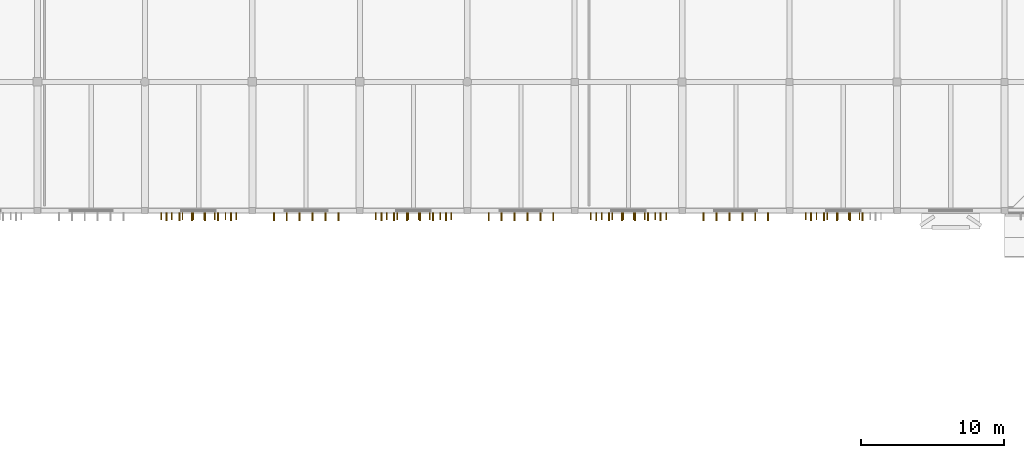
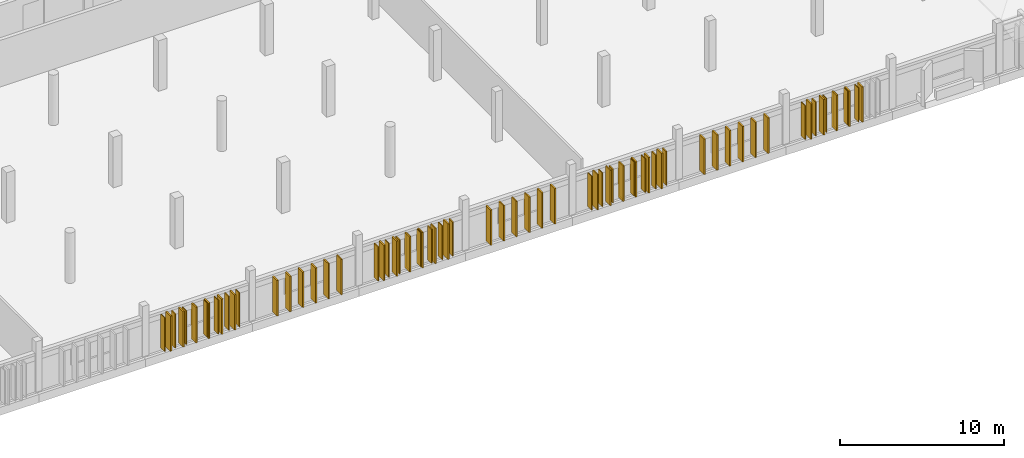
# One storey, part 37 of 43: 41 coverings, 30 shading devices.
"""IFC4 building model written with IfcOpenShell, lengths in metres."""

from ifc_helpers import new_model, si_unit, direction, frame, origin, origin_2d, place, context, subcontext, project, spatial, rectangle, extrude, material, layer, layer_set, type_object, element, save


model = new_model("IFC4")

# Units and contexts
model_context = context("Model", 3, precision=1e-05, world=origin(), true_north=direction((0.0, 1.0)))
body_context = subcontext(model_context, "Body", "Model", "MODEL_VIEW")
ifc_project = project(units=[si_unit("LENGTHUNIT", "METRE"), si_unit("AREAUNIT", "SQUARE_METRE"), si_unit("VOLUMEUNIT", "CUBIC_METRE"), si_unit("PLANEANGLEUNIT", "RADIAN"), si_unit("MASSUNIT", "GRAM", prefix="KILO")], contexts=[model_context])

# Site, building, storey
site_placement = place(None, origin())
site = spatial("IfcSite", under=ifc_project, at=site_placement, CompositionType="ELEMENT")
building_placement = place(site_placement, origin())
building = spatial("IfcBuilding", under=site, at=building_placement, Name="Dalvernix Boulevard General Hospital", CompositionType="ELEMENT")
storey_placement = place(building_placement, frame((0.0, 0.0, 14.10009765625)))
storey = spatial("IfcBuildingStorey", under=building, at=storey_placement, Name="L03", CompositionType="ELEMENT", Elevation=14.10009765625)

# Coverings
ifc_material_1 = material(Name="Terracotta-clad iroko timber brise-soleil sun-breaker fin", Category="masonry")
ifc_layer = layer(ifc_material_1, 0.10009765625)
ifc_layer_set = layer_set([ifc_layer], Name="Terracotta-clad iroko timber brise-soleil sun-breaker fin (COV-FIN-02)")
covering_type = type_object("IfcCoveringType", Name="COV-FIN-02", PredefinedType="CLADDING", material=ifc_layer_set)
for number, where, z_axis, x_axis, name in (
    (1, (81.0, 76.080078125, 0.119873046875), (0.0, 0.0, 1.0), (-1.0, 0.0, 0.0), "L03 terracotta brise-soleil fin S 10-10-1"),
    (2, (80.10009765625, 76.080078125, 0.119873046875), (0.0, 0.0, 1.0), (-1.0, 0.0, 0.0), "L03 terracotta brise-soleil fin S 10-10-2"),
    (3, (79.199951171875, 76.080078125, 0.119873046875), (0.0, 0.0, 1.0), (-1.0, 0.0, 0.0), "L03 terracotta brise-soleil fin S 10-10-3"),
    (4, (78.300048828125, 76.080078125, 0.119873046875), (0.0, 0.0, 1.0), (-1.0, 0.0, 0.0), "L03 terracotta brise-soleil fin S 10-10-4"),
    (5, (77.39990234375, 76.080078125, 0.119873046875), (0.0, 0.0, 1.0), (-1.0, 0.0, 0.0), "L03 terracotta brise-soleil fin S 10-10-5"),
    (6, (76.5, 76.080078125, 0.119873046875), (0.0, 0.0, 1.0), (-1.0, 0.0, 0.0), "L03 terracotta brise-soleil fin S 10-10-6"),
    (7, (88.5, 76.080078125, 0.119873046875), (0.0, 0.0, 1.0), (-1.0, 0.0, 0.0), "L03 terracotta brise-soleil fin S 11-10-1"),
    (8, (87.60009765625, 76.080078125, 0.119873046875), (0.0, 0.0, 1.0), (-1.0, 0.0, 0.0), "L03 terracotta brise-soleil fin S 11-10-2"),
    (9, (86.699951171875, 76.080078125, 0.119873046875), (0.0, 0.0, 1.0), (-1.0, 0.0, 0.0), "L03 terracotta brise-soleil fin S 11-10-3"),
    (10, (85.800048828125, 76.080078125, 0.119873046875), (0.0, 0.0, 1.0), (-1.0, 0.0, 0.0), "L03 terracotta brise-soleil fin S 11-10-4"),
    (11, (84.89990234375, 76.080078125, 0.119873046875), (0.0, 0.0, 1.0), (-1.0, 0.0, 0.0), "L03 terracotta brise-soleil fin S 11-10-5"),
    (12, (84.0, 76.080078125, 0.119873046875), (0.0, 0.0, 1.0), (-1.0, 0.0, 0.0), "L03 terracotta brise-soleil fin S 11-10-6"),
    (13, (96.0, 76.080078125, 0.119873046875), (0.0, 0.0, 1.0), (-1.0, 0.0, 0.0), "L03 terracotta brise-soleil fin S 12-10-1"),
    (14, (95.10009765625, 76.080078125, 0.119873046875), (0.0, 0.0, 1.0), (-1.0, 0.0, 0.0), "L03 terracotta brise-soleil fin S 12-10-2"),
    (15, (94.199951171875, 76.080078125, 0.119873046875), (0.0, 0.0, 1.0), (-1.0, 0.0, 0.0), "L03 terracotta brise-soleil fin S 12-10-3"),
    (16, (93.300048828125, 76.080078125, 0.119873046875), (0.0, 0.0, 1.0), (-1.0, 0.0, 0.0), "L03 terracotta brise-soleil fin S 12-10-4"),
    (17, (92.39990234375, 76.080078125, 0.119873046875), (0.0, 0.0, 1.0), (-1.0, 0.0, 0.0), "L03 terracotta brise-soleil fin S 12-10-5"),
    (18, (91.5, 76.080078125, 0.119873046875), (0.0, 0.0, 1.0), (-1.0, 0.0, 0.0), "L03 terracotta brise-soleil fin S 12-10-6"),
    (19, (103.5, 76.080078125, 0.119873046875), (0.0, 0.0, 1.0), (-1.0, 0.0, 0.0), "L03 terracotta brise-soleil fin S 13-10-1"),
    (20, (102.60009765625, 76.080078125, 0.119873046875), (0.0, 0.0, 1.0), (-1.0, 0.0, 0.0), "L03 terracotta brise-soleil fin S 13-10-2"),
    (21, (101.699951171875, 76.080078125, 0.119873046875), (0.0, 0.0, 1.0), (-1.0, 0.0, 0.0), "L03 terracotta brise-soleil fin S 13-10-3"),
    (22, (100.800048828125, 76.080078125, 0.119873046875), (0.0, 0.0, 1.0), (-1.0, 0.0, 0.0), "L03 terracotta brise-soleil fin S 13-10-4"),
    (23, (99.89990234375, 76.080078125, 0.119873046875), (0.0, 0.0, 1.0), (-1.0, 0.0, 0.0), "L03 terracotta brise-soleil fin S 13-10-5"),
    (24, (99.0, 76.080078125, 0.119873046875), (0.0, 0.0, 1.0), (-1.0, 0.0, 0.0), "L03 terracotta brise-soleil fin S 13-10-6"),
    (25, (111.0, 76.080078125, 0.119873046875), (0.0, 0.0, 1.0), (-1.0, 0.0, 0.0), "L03 terracotta brise-soleil fin S 14-10-1"),
    (26, (110.10009765625, 76.080078125, 0.119873046875), (0.0, 0.0, 1.0), (-1.0, 0.0, 0.0), "L03 terracotta brise-soleil fin S 14-10-2"),
    (27, (109.199951171875, 76.080078125, 0.119873046875), (0.0, 0.0, 1.0), (-1.0, 0.0, 0.0), "L03 terracotta brise-soleil fin S 14-10-3"),
    (28, (108.300048828125, 76.080078125, 0.119873046875), (0.0, 0.0, 1.0), (-1.0, 0.0, 0.0), "L03 terracotta brise-soleil fin S 14-10-4"),
    (29, (107.39990234375, 76.080078125, 0.119873046875), (0.0, 0.0, 1.0), (-1.0, 0.0, 0.0), "L03 terracotta brise-soleil fin S 14-10-5"),
    (30, (106.5, 76.080078125, 0.119873046875), (0.0, 0.0, 1.0), (-1.0, 0.0, 0.0), "L03 terracotta brise-soleil fin S 14-10-6"),
    (31, (118.5, 76.080078125, 0.119873046875), (0.0, 0.0, 1.0), (-1.0, 0.0, 0.0), "L03 terracotta brise-soleil fin S 15-10-1"),
    (32, (117.60009765625, 76.080078125, 0.119873046875), (0.0, 0.0, 1.0), (-1.0, 0.0, 0.0), "L03 terracotta brise-soleil fin S 15-10-2"),
    (33, (116.699951171875, 76.080078125, 0.119873046875), (0.0, 0.0, 1.0), (-1.0, 0.0, 0.0), "L03 terracotta brise-soleil fin S 15-10-3"),
    (34, (115.800048828125, 76.080078125, 0.119873046875), (0.0, 0.0, 1.0), (-1.0, 0.0, 0.0), "L03 terracotta brise-soleil fin S 15-10-4"),
    (35, (114.89990234375, 76.080078125, 0.119873046875), (0.0, 0.0, 1.0), (-1.0, 0.0, 0.0), "L03 terracotta brise-soleil fin S 15-10-5"),
    (36, (114.0, 76.080078125, 0.119873046875), (0.0, 0.0, 1.0), (-1.0, 0.0, 0.0), "L03 terracotta brise-soleil fin S 15-10-6"),
    (37, (125.10009765625, 76.080078125, 0.119873046875), (0.0, 0.0, 1.0), (-1.0, 0.0, 0.0), "L03 terracotta brise-soleil fin S 16-10-2"),
    (38, (124.199951171875, 76.080078125, 0.119873046875), (0.0, 0.0, 1.0), (-1.0, 0.0, 0.0), "L03 terracotta brise-soleil fin S 16-10-3"),
    (39, (123.300048828125, 76.080078125, 0.119873046875), (0.0, 0.0, 1.0), (-1.0, 0.0, 0.0), "L03 terracotta brise-soleil fin S 16-10-4"),
    (40, (122.39990234375, 76.080078125, 0.119873046875), (0.0, 0.0, 1.0), (-1.0, 0.0, 0.0), "L03 terracotta brise-soleil fin S 16-10-5"),
    (41, (121.5, 76.080078125, 0.119873046875), (0.0, 0.0, 1.0), (-1.0, 0.0, 0.0), "L03 terracotta brise-soleil fin S 16-10-6"),
):
    element("IfcCovering", number, at=place(storey_placement, frame(where, z_axis=z_axis, x_axis=x_axis)), inside=storey, type_object=covering_type, Name=name, PredefinedType="CLADDING", context=body_context, shape_type="SweptSolid", body=[
        extrude(rectangle(XDim=0.10009765625, YDim=0.580078125, at=origin_2d()), origin(), (0.0, 0.0, 1.0), 2.6298828125),
    ])

# Shading devices
ifc_material_2 = material(Name="Preservative-treated West African iroko timber", Category="wood")
shading_device_type = type_object("IfcShadingDeviceType", Name="SHD-FIN-01", PredefinedType="USERDEFINED", material=ifc_material_2)
for number, where, z_axis, x_axis, name in (
    (42, (81.375, 76.1201171875, 0.1748046875), (0.0, 0.0, 1.0), (-1.0, 0.0, 0.0), "L03 iroko brise-soleil fin 1"),
    (43, (80.625, 76.1201171875, 0.1748046875), (0.0, 0.0, 1.0), (-1.0, 0.0, 0.0), "L03 iroko brise-soleil fin 2"),
    (44, (79.875, 76.1201171875, 0.1748046875), (0.0, 0.0, 1.0), (-1.0, 0.0, 0.0), "L03 iroko brise-soleil fin 3"),
    (45, (79.125, 76.1201171875, 0.1748046875), (0.0, 0.0, 1.0), (-1.0, 0.0, 0.0), "L03 iroko brise-soleil fin 4"),
    (46, (78.375, 76.1201171875, 0.1748046875), (0.0, 0.0, 1.0), (-1.0, 0.0, 0.0), "L03 iroko brise-soleil fin 5"),
    (47, (77.625, 76.1201171875, 0.1748046875), (0.0, 0.0, 1.0), (-1.0, 0.0, 0.0), "L03 iroko brise-soleil fin 6"),
    (48, (76.875, 76.1201171875, 0.1748046875), (0.0, 0.0, 1.0), (-1.0, 0.0, 0.0), "L03 iroko brise-soleil fin 7"),
    (49, (76.125, 76.1201171875, 0.1748046875), (0.0, 0.0, 1.0), (-1.0, 0.0, 0.0), "L03 iroko brise-soleil fin 8"),
    (50, (96.375, 76.1201171875, 0.1748046875), (0.0, 0.0, 1.0), (-1.0, 0.0, 0.0), "L03 iroko brise-soleil fin 1"),
    (51, (95.625, 76.1201171875, 0.1748046875), (0.0, 0.0, 1.0), (-1.0, 0.0, 0.0), "L03 iroko brise-soleil fin 2"),
    (52, (94.875, 76.1201171875, 0.1748046875), (0.0, 0.0, 1.0), (-1.0, 0.0, 0.0), "L03 iroko brise-soleil fin 3"),
    (53, (94.125, 76.1201171875, 0.1748046875), (0.0, 0.0, 1.0), (-1.0, 0.0, 0.0), "L03 iroko brise-soleil fin 4"),
    (54, (93.375, 76.1201171875, 0.1748046875), (0.0, 0.0, 1.0), (-1.0, 0.0, 0.0), "L03 iroko brise-soleil fin 5"),
    (55, (92.625, 76.1201171875, 0.1748046875), (0.0, 0.0, 1.0), (-1.0, 0.0, 0.0), "L03 iroko brise-soleil fin 6"),
    (56, (91.875, 76.1201171875, 0.1748046875), (0.0, 0.0, 1.0), (-1.0, 0.0, 0.0), "L03 iroko brise-soleil fin 7"),
    (57, (91.125, 76.1201171875, 0.1748046875), (0.0, 0.0, 1.0), (-1.0, 0.0, 0.0), "L03 iroko brise-soleil fin 8"),
    (58, (111.375, 76.1201171875, 0.1748046875), (0.0, 0.0, 1.0), (-1.0, 0.0, 0.0), "L03 iroko brise-soleil fin 1"),
    (59, (110.625, 76.1201171875, 0.1748046875), (0.0, 0.0, 1.0), (-1.0, 0.0, 0.0), "L03 iroko brise-soleil fin 2"),
    (60, (109.875, 76.1201171875, 0.1748046875), (0.0, 0.0, 1.0), (-1.0, 0.0, 0.0), "L03 iroko brise-soleil fin 3"),
    (61, (109.125, 76.1201171875, 0.1748046875), (0.0, 0.0, 1.0), (-1.0, 0.0, 0.0), "L03 iroko brise-soleil fin 4"),
    (62, (108.375, 76.1201171875, 0.1748046875), (0.0, 0.0, 1.0), (-1.0, 0.0, 0.0), "L03 iroko brise-soleil fin 5"),
    (63, (107.625, 76.1201171875, 0.1748046875), (0.0, 0.0, 1.0), (-1.0, 0.0, 0.0), "L03 iroko brise-soleil fin 6"),
    (64, (106.875, 76.1201171875, 0.1748046875), (0.0, 0.0, 1.0), (-1.0, 0.0, 0.0), "L03 iroko brise-soleil fin 7"),
    (65, (106.125, 76.1201171875, 0.1748046875), (0.0, 0.0, 1.0), (-1.0, 0.0, 0.0), "L03 iroko brise-soleil fin 8"),
    (66, (124.875, 76.1201171875, 0.1748046875), (0.0, 0.0, 1.0), (-1.0, 0.0, 0.0), "L03 iroko brise-soleil fin 3"),
    (67, (124.125, 76.1201171875, 0.1748046875), (0.0, 0.0, 1.0), (-1.0, 0.0, 0.0), "L03 iroko brise-soleil fin 4"),
    (68, (123.375, 76.1201171875, 0.1748046875), (0.0, 0.0, 1.0), (-1.0, 0.0, 0.0), "L03 iroko brise-soleil fin 5"),
    (69, (122.625, 76.1201171875, 0.1748046875), (0.0, 0.0, 1.0), (-1.0, 0.0, 0.0), "L03 iroko brise-soleil fin 6"),
    (70, (121.875, 76.1201171875, 0.1748046875), (0.0, 0.0, 1.0), (-1.0, 0.0, 0.0), "L03 iroko brise-soleil fin 7"),
    (71, (121.125, 76.1201171875, 0.1748046875), (0.0, 0.0, 1.0), (-1.0, 0.0, 0.0), "L03 iroko brise-soleil fin 8"),
):
    element("IfcShadingDevice", number, at=place(storey_placement, frame(where, z_axis=z_axis, x_axis=x_axis)), inside=storey, type_object=shading_device_type, Name=name, ObjectType="FIN", PredefinedType="USERDEFINED", context=body_context, shape_type="SweptSolid", body=[
        extrude(rectangle(XDim=0.06494140625, YDim=0.47998046875, at=origin_2d()), origin(), (0.0, 0.0, 1.0), 2.52001953125),
    ])

save(model, "model.ifc")
